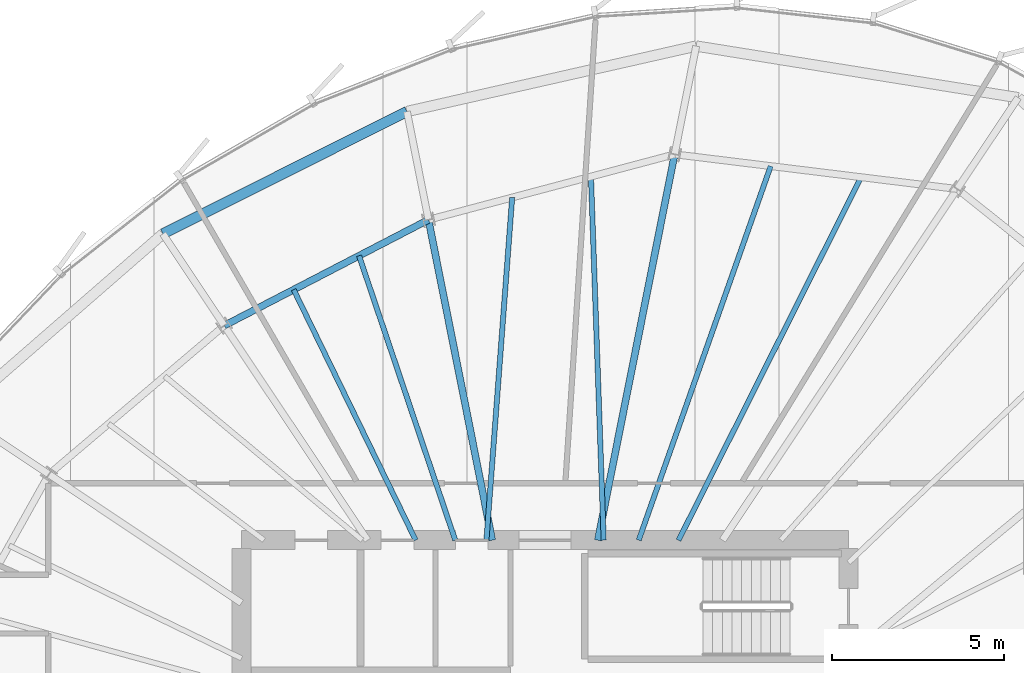
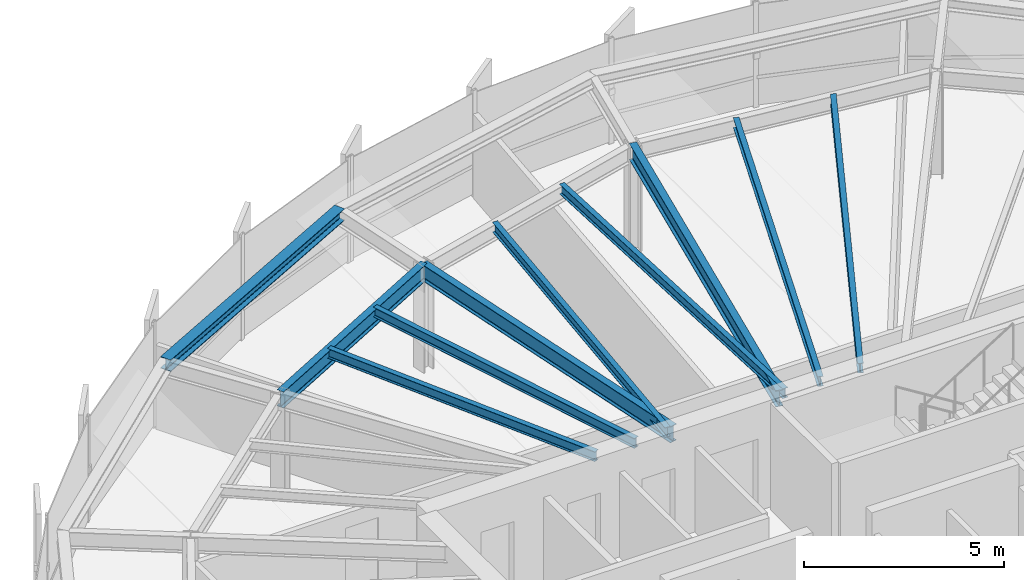
# One storey, part 22 of 35: 10 beams.
"""IFC4 building model written with IfcOpenShell, lengths in metres."""

from ifc_helpers import new_model, si_unit, direction, frame, origin, origin_2d, place, context, subcontext, project, spatial, i_section, extrude, source, transform, mapped, material, material_profile, profile_set, type_object, element, save


model = new_model("IFC4")

# Units and contexts
model_context = context("Model", 3, precision=1e-05, world=origin(), true_north=direction((0.0, 1.0)))
body_context = subcontext(model_context, "Body", "Model", "MODEL_VIEW")
ifc_project = project(units=[si_unit("LENGTHUNIT", "METRE"), si_unit("AREAUNIT", "SQUARE_METRE"), si_unit("VOLUMEUNIT", "CUBIC_METRE"), si_unit("PLANEANGLEUNIT", "RADIAN"), si_unit("MASSUNIT", "GRAM", prefix="KILO"), si_unit("THERMODYNAMICTEMPERATUREUNIT", "KELVIN")], contexts=[model_context])

# Site, building, storey
site_placement = place(None, origin())
site = spatial("IfcSite", under=ifc_project, at=site_placement, CompositionType="ELEMENT")
building_placement = place(site_placement, origin())
building = spatial("IfcBuilding", under=site, at=building_placement, Name="Kethvar Cultural Tower", CompositionType="ELEMENT")
storey_placement = place(building_placement, frame((0.0, 0.0, 204.39990234375)))
storey = spatial("IfcBuildingStorey", under=building, at=storey_placement, Name="L53", CompositionType="ELEMENT", Elevation=204.39990234375)

# Beams
ifc_material = material(Name="Steel S355J2", Category="steel")
ifc_material_profile_1 = material_profile(ifc_material, i_section(OverallWidth=0.199951171875, OverallDepth=0.5, WebThickness=0.01025390625, FlangeThickness=0.01611328125, FilletRadius=0.02099609375, at=origin_2d()), Name="Steel S355J2 — IPE500")
ifc_profile_set_1 = profile_set([ifc_material_profile_1], Name="Steel S355J2 — IPE500")
beam_type_1 = type_object("IfcBeamType", Name="BM-IPE500", PredefinedType="BEAM", material=ifc_profile_set_1)
shared_shape_1 = source(origin(), body_context, "Body", "SweptSolid", [
    extrude(i_section(OverallWidth=0.199951171875, OverallDepth=0.5, WebThickness=0.01025390625, FlangeThickness=0.01611328125, FilletRadius=0.02099609375, at=origin_2d()), origin(), (0.0, 0.0, 1.0), 11.40673828125),
])
beam_1_placement = place(storey_placement, frame((48.33154296875, 35.5, 3.008056640625), z_axis=(0.195091138918, 0.980785117911, 0.0), x_axis=(-0.980785117911, 0.195091138918, 0.0)))
element("IfcBeam", 1, at=beam_1_placement, inside=storey, type_object=beam_type_1, Name="L53 Primary Radial Beam RB-04", PredefinedType="BEAM", context=body_context, shape_type="MappedRepresentation", body=[
    mapped(shared_shape_1, transform((0.0, 0.0, 0.0), scale=1.0)),
])
shared_shape_2 = source(origin(), body_context, "Body", "SweptSolid", [
    extrude(i_section(OverallWidth=0.199951171875, OverallDepth=0.5, WebThickness=0.01025390625, FlangeThickness=0.01611328125, FilletRadius=0.02099609375, at=origin_2d()), origin(), (0.0, 0.0, 1.0), 9.47119140625),
])
beam_2_placement = place(storey_placement, frame((45.268310546875, 35.5, 3.008056640625), z_axis=(-0.195079990396, 0.980787335434, 0.0), x_axis=(-0.980787335434, -0.195079990396, 0.0)))
element("IfcBeam", 2, at=beam_2_placement, inside=storey, type_object=beam_type_1, Name="L53 Primary Radial Beam RB-05", PredefinedType="BEAM", context=body_context, shape_type="MappedRepresentation", body=[
    mapped(shared_shape_2, transform((0.0, 0.0, 0.0), scale=1.0)),
])
ifc_material_profile_2 = material_profile(ifc_material, i_section(OverallWidth=0.14990234375, OverallDepth=0.300048828125, WebThickness=0.007080078125, FlangeThickness=0.0107421875, FilletRadius=0.014892578125, at=origin_2d()), Name="Steel S355J2 — IPE300")
ifc_profile_set_2 = profile_set([ifc_material_profile_2], Name="Steel S355J2 — IPE300")
beam_type_2 = type_object("IfcBeamType", Name="BM-J300", PredefinedType="JOIST", material=ifc_profile_set_2)
shared_shape_3 = source(origin(), body_context, "Body", "SweptSolid", [
    extrude(i_section(OverallWidth=0.14990234375, OverallDepth=0.300048828125, WebThickness=0.007080078125, FlangeThickness=0.0107421875, FilletRadius=0.014892578125, at=origin_2d()), origin(), (0.0, 0.0, 1.0), 11.77880859375),
])
beam_3_placement = place(storey_placement, frame((50.671630859375, 35.5, 3.108154296875), z_axis=(0.449218855458, 0.893421748057, 0.0), x_axis=(-0.893421748057, 0.449218855458, 0.0)))
element("IfcBeam", 3, at=beam_3_placement, inside=storey, type_object=beam_type_2, Name="L53 Composite Floor Joist J-03A", PredefinedType="JOIST", context=body_context, shape_type="MappedRepresentation", body=[
    mapped(shared_shape_3, transform((0.0, 0.0, 0.0), scale=1.0)),
])
shared_shape_4 = source(origin(), body_context, "Body", "SweptSolid", [
    extrude(i_section(OverallWidth=0.14990234375, OverallDepth=0.300048828125, WebThickness=0.007080078125, FlangeThickness=0.0107421875, FilletRadius=0.014892578125, at=origin_2d()), origin(), (0.0, 0.0, 1.0), 11.50048828125),
])
beam_4_placement = place(storey_placement, frame((49.51611328125, 35.5, 3.108154296875), z_axis=(0.332655768875, 0.943048322958, 0.0), x_axis=(-0.943048322958, 0.332655768875, 0.0)))
element("IfcBeam", 4, at=beam_4_placement, inside=storey, type_object=beam_type_2, Name="L53 Composite Floor Joist J-03B", PredefinedType="JOIST", context=body_context, shape_type="MappedRepresentation", body=[
    mapped(shared_shape_4, transform((0.0, 0.0, 0.0), scale=1.0)),
])
shared_shape_5 = source(origin(), body_context, "Body", "SweptSolid", [
    extrude(i_section(OverallWidth=0.14990234375, OverallDepth=0.300048828125, WebThickness=0.007080078125, FlangeThickness=0.0107421875, FilletRadius=0.014892578125, at=origin_2d()), origin(), (0.0, 0.0, 1.0), 10.54833984375),
])
beam_5_placement = place(storey_placement, frame((48.5, 35.5, 3.108154296875), z_axis=(-0.035017879941, 0.999386685965, 0.0), x_axis=(-0.999386685965, -0.035017879941, 0.0)))
element("IfcBeam", 5, at=beam_5_placement, inside=storey, type_object=beam_type_2, Name="L53 Composite Floor Joist J-04A", PredefinedType="JOIST", context=body_context, shape_type="MappedRepresentation", body=[
    mapped(shared_shape_5, transform((0.0, 0.0, 0.0), scale=1.0)),
])
shared_shape_6 = source(origin(), body_context, "Body", "SweptSolid", [
    extrude(i_section(OverallWidth=0.14990234375, OverallDepth=0.300048828125, WebThickness=0.007080078125, FlangeThickness=0.0107421875, FilletRadius=0.014892578125, at=origin_2d()), origin(), (0.0, 0.0, 1.0), 9.962646484375),
])
beam_6_placement = place(storey_placement, frame((45.10009765625, 35.5, 3.108154296875), z_axis=(0.074962964429, 0.99718631858, 0.0), x_axis=(-0.99718631858, 0.074962964429, 0.0)))
element("IfcBeam", 6, at=beam_6_placement, inside=storey, type_object=beam_type_2, Name="L53 Composite Floor Joist J-04B", PredefinedType="JOIST", context=body_context, shape_type="MappedRepresentation", body=[
    mapped(shared_shape_6, transform((0.0, 0.0, 0.0), scale=1.0)),
])
shared_shape_7 = source(origin(), body_context, "Body", "SweptSolid", [
    extrude(i_section(OverallWidth=0.199951171875, OverallDepth=0.5, WebThickness=0.01025390625, FlangeThickness=0.01611328125, FilletRadius=0.02099609375, at=origin_2d()), origin(), (0.0, 0.0, 1.0), 6.669921875),
])
beam_7_placement = place(storey_placement, frame((43.420654296875, 44.789306640625, 3.008056640625), z_axis=(-0.887861983948, -0.460109875421, 0.0), x_axis=(0.460109875421, -0.887861983948, 0.0)))
element("IfcBeam", 7, at=beam_7_placement, inside=storey, type_object=beam_type_1, Name="L53 Column Ring Tie Beam CR-05", PredefinedType="BEAM", context=body_context, shape_type="MappedRepresentation", body=[
    mapped(shared_shape_7, transform((0.0, 0.0, 0.0), scale=1.0)),
])
ifc_material_profile_3 = material_profile(ifc_material, i_section(OverallWidth=0.300048828125, OverallDepth=0.360107421875, WebThickness=0.012451171875, FlangeThickness=0.0224609375, FilletRadius=0.027099609375, at=origin_2d()), Name="Steel S355J2 — HEB360")
ifc_profile_set_3 = profile_set([ifc_material_profile_3], Name="Steel S355J2 — HEB360")
beam_type_3 = type_object("IfcBeamType", Name="BM-SP360", PredefinedType="SPANDREL", material=ifc_profile_set_3)
shared_shape_8 = source(origin(), body_context, "Body", "SweptSolid", [
    extrude(i_section(OverallWidth=0.300048828125, OverallDepth=0.360107421875, WebThickness=0.012451171875, FlangeThickness=0.0224609375, FilletRadius=0.027099609375, at=origin_2d()), origin(), (0.0, 0.0, 1.0), 7.91455078125),
])
beam_8_placement = place(storey_placement, frame((42.79638671875, 47.927734375, 3.078125), z_axis=(-0.893976371529, -0.44811410059, 0.0), x_axis=(0.44811410059, -0.893976371529, 0.0)))
element("IfcBeam", 8, at=beam_8_placement, inside=storey, type_object=beam_type_3, Name="L53 Perimeter Spandrel Beam SP-05", PredefinedType="SPANDREL", context=body_context, shape_type="MappedRepresentation", body=[
    mapped(shared_shape_8, transform((0.0, 0.0, 0.0), scale=1.0)),
])
shared_shape_9 = source(origin(), body_context, "Body", "SweptSolid", [
    extrude(i_section(OverallWidth=0.14990234375, OverallDepth=0.300048828125, WebThickness=0.007080078125, FlangeThickness=0.0107421875, FilletRadius=0.014892578125, at=origin_2d()), origin(), (0.0, 0.0, 1.0), 8.70458984375),
])
beam_9_placement = place(storey_placement, frame((44.19580078125, 35.5, 3.108154296875), z_axis=(-0.320356133074, 0.947297180404, 0.0), x_axis=(-0.947297180404, -0.320356133074, 0.0)))
element("IfcBeam", 9, at=beam_9_placement, inside=storey, type_object=beam_type_2, Name="L53 Composite Floor Joist J-05A", PredefinedType="JOIST", context=body_context, shape_type="MappedRepresentation", body=[
    mapped(shared_shape_9, transform((0.0, 0.0, 0.0), scale=1.0)),
])
shared_shape_10 = source(origin(), body_context, "Body", "SweptSolid", [
    extrude(i_section(OverallWidth=0.14990234375, OverallDepth=0.300048828125, WebThickness=0.007080078125, FlangeThickness=0.0107421875, FilletRadius=0.014892578125, at=origin_2d()), origin(), (0.0, 0.0, 1.0), 8.07958984375),
])
beam_10_placement = place(storey_placement, frame((43.0498046875, 35.5, 3.108154296875), z_axis=(-0.437846062021, 0.89904995744, 0.0), x_axis=(-0.89904995744, -0.437846062021, 0.0)))
element("IfcBeam", 10, at=beam_10_placement, inside=storey, type_object=beam_type_2, Name="L53 Composite Floor Joist J-05B", PredefinedType="JOIST", context=body_context, shape_type="MappedRepresentation", body=[
    mapped(shared_shape_10, transform((0.0, 0.0, 0.0), scale=1.0)),
])

save(model, "model.ifc")
